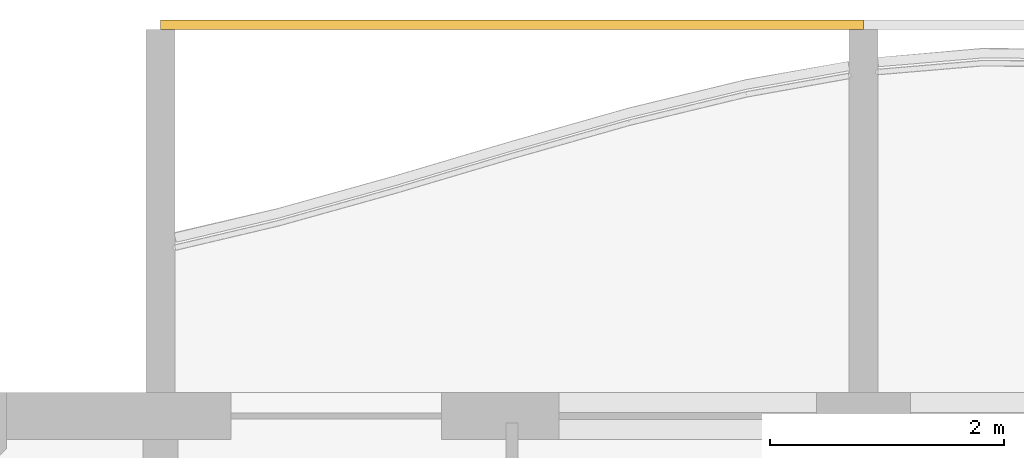
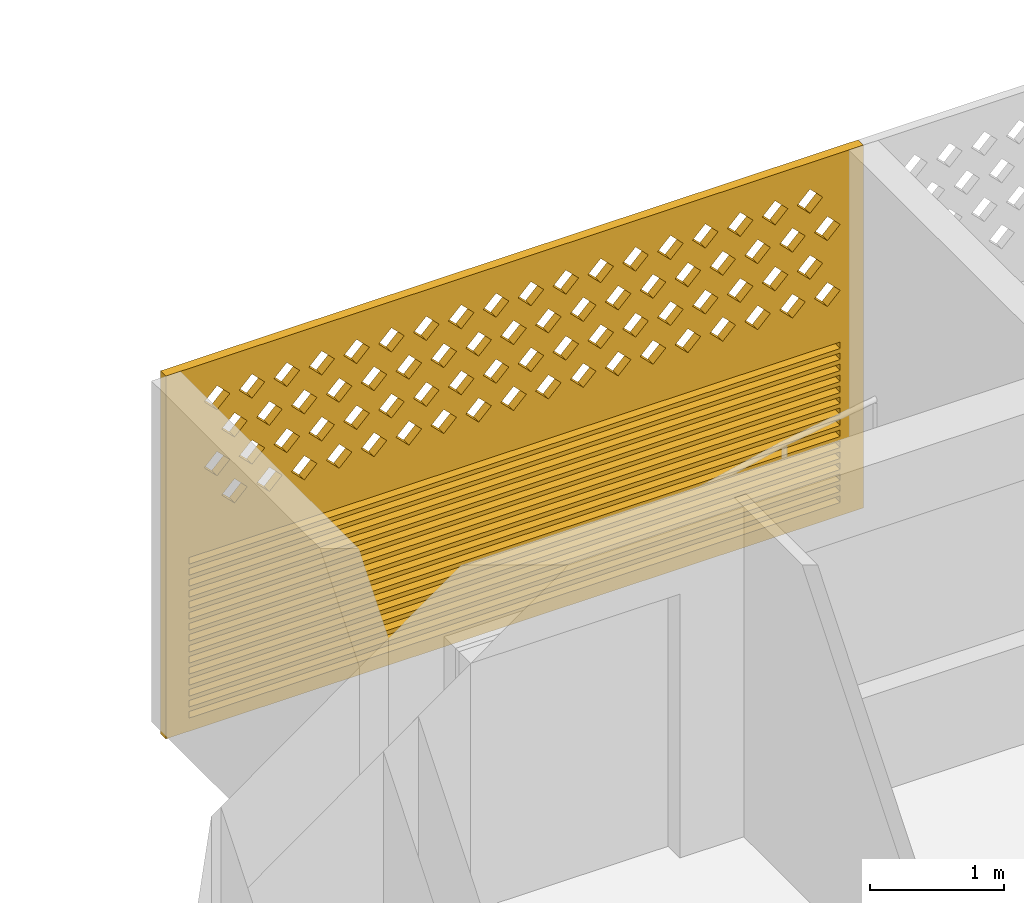
# One storey, part 18 of 32: 1 covering.
"""IFC4 building model written with IfcOpenShell, lengths in metres."""

from ifc_helpers import new_model, si_unit, direction, frame, origin, place, context, subcontext, project, spatial, polyline, outline, extrude, source, transform, mapped, material, material_profile, profile_set, type_object, element, save


model = new_model("IFC4")

# Units and contexts
model_context = context("Model", 3, precision=1e-05, world=origin(), true_north=direction((0.0, 1.0)))
body_context = subcontext(model_context, "Body", "Model", "MODEL_VIEW")
ifc_project = project(units=[si_unit("LENGTHUNIT", "METRE"), si_unit("AREAUNIT", "SQUARE_METRE"), si_unit("VOLUMEUNIT", "CUBIC_METRE"), si_unit("PLANEANGLEUNIT", "RADIAN"), si_unit("MASSUNIT", "GRAM", prefix="KILO")], contexts=[model_context])

# Site, building, storey
site_placement = place(None, origin())
site = spatial("IfcSite", under=ifc_project, at=site_placement, CompositionType="ELEMENT")
building_placement = place(site_placement, origin())
building = spatial("IfcBuilding", under=site, at=building_placement, Name="Poui Terraces", CompositionType="ELEMENT")
storey_placement = place(building_placement, frame((0.0, 0.0, 155.39990234375)))
storey = spatial("IfcBuildingStorey", under=building, at=storey_placement, Name="L43", CompositionType="ELEMENT", Elevation=155.39990234375)

# Covering
ifc_material = material(Name="Terracotta screen", Category="masonry")
ifc_material_profile = material_profile(ifc_material, outline(polyline([(-3.0, -1.64990234375), (3.0, -1.64990234375), (3.0, 1.64990234375), (-3.0, 1.64990234375), (-3.0, -1.64990234375)]), holes=[polyline([(-2.800048828125, 0.39990234375), (-2.68994140625, 0.2900390625), (-2.580078125, 0.39990234375), (-2.68994140625, 0.510009765625), (-2.800048828125, 0.39990234375)]), polyline([(-2.5, 0.39990234375), (-2.389892578125, 0.2900390625), (-2.280029296875, 0.39990234375), (-2.389892578125, 0.510009765625), (-2.5, 0.39990234375)]), polyline([(-2.199951171875, 0.39990234375), (-2.090087890625, 0.2900390625), (-1.97998046875, 0.39990234375), (-2.090087890625, 0.510009765625), (-2.199951171875, 0.39990234375)]), polyline([(-1.89990234375, 0.39990234375), (-1.7900390625, 0.2900390625), (-1.679931640625, 0.39990234375), (-1.7900390625, 0.510009765625), (-1.89990234375, 0.39990234375)]), polyline([(-1.60009765625, 0.39990234375), (-1.489990234375, 0.2900390625), (-1.3798828125, 0.39990234375), (-1.489990234375, 0.510009765625), (-1.60009765625, 0.39990234375)]), polyline([(-1.300048828125, 0.39990234375), (-1.18994140625, 0.2900390625), (-1.080078125, 0.39990234375), (-1.18994140625, 0.510009765625), (-1.300048828125, 0.39990234375)]), polyline([(-1.0, 0.39990234375), (-0.889892578125, 0.2900390625), (-0.780029296875, 0.39990234375), (-0.889892578125, 0.510009765625), (-1.0, 0.39990234375)]), polyline([(-0.699951171875, 0.39990234375), (-0.590087890625, 0.2900390625), (-0.47998046875, 0.39990234375), (-0.590087890625, 0.510009765625), (-0.699951171875, 0.39990234375)]), polyline([(-0.39990234375, 0.39990234375), (-0.2900390625, 0.2900390625), (-0.179931640625, 0.39990234375), (-0.2900390625, 0.510009765625), (-0.39990234375, 0.39990234375)]), polyline([(-0.10009765625, 0.39990234375), (0.010009765625, 0.2900390625), (0.1201171875, 0.39990234375), (0.010009765625, 0.510009765625), (-0.10009765625, 0.39990234375)]), polyline([(0.199951171875, 0.39990234375), (0.31005859375, 0.2900390625), (0.419921875, 0.39990234375), (0.31005859375, 0.510009765625), (0.199951171875, 0.39990234375)]), polyline([(0.5, 0.39990234375), (0.610107421875, 0.2900390625), (0.719970703125, 0.39990234375), (0.610107421875, 0.510009765625), (0.5, 0.39990234375)]), polyline([(0.800048828125, 0.39990234375), (0.909912109375, 0.2900390625), (1.02001953125, 0.39990234375), (0.909912109375, 0.510009765625), (0.800048828125, 0.39990234375)]), polyline([(1.10009765625, 0.39990234375), (1.2099609375, 0.2900390625), (1.320068359375, 0.39990234375), (1.2099609375, 0.510009765625), (1.10009765625, 0.39990234375)]), polyline([(1.39990234375, 0.39990234375), (1.510009765625, 0.2900390625), (1.6201171875, 0.39990234375), (1.510009765625, 0.510009765625), (1.39990234375, 0.39990234375)]), polyline([(1.699951171875, 0.39990234375), (1.81005859375, 0.2900390625), (1.919921875, 0.39990234375), (1.81005859375, 0.510009765625), (1.699951171875, 0.39990234375)]), polyline([(2.0, 0.39990234375), (2.110107421875, 0.2900390625), (2.219970703125, 0.39990234375), (2.110107421875, 0.510009765625), (2.0, 0.39990234375)]), polyline([(2.300048828125, 0.39990234375), (2.409912109375, 0.2900390625), (2.52001953125, 0.39990234375), (2.409912109375, 0.510009765625), (2.300048828125, 0.39990234375)]), polyline([(-2.64990234375, 0.699951171875), (-2.5400390625, 0.590087890625), (-2.429931640625, 0.699951171875), (-2.5400390625, 0.81005859375), (-2.64990234375, 0.699951171875)]), polyline([(-2.35009765625, 0.699951171875), (-2.239990234375, 0.590087890625), (-2.1298828125, 0.699951171875), (-2.239990234375, 0.81005859375), (-2.35009765625, 0.699951171875)]), polyline([(-2.050048828125, 0.699951171875), (-1.93994140625, 0.590087890625), (-1.830078125, 0.699951171875), (-1.93994140625, 0.81005859375), (-2.050048828125, 0.699951171875)]), polyline([(-1.75, 0.699951171875), (-1.639892578125, 0.590087890625), (-1.530029296875, 0.699951171875), (-1.639892578125, 0.81005859375), (-1.75, 0.699951171875)]), polyline([(-1.449951171875, 0.699951171875), (-1.340087890625, 0.590087890625), (-1.22998046875, 0.699951171875), (-1.340087890625, 0.81005859375), (-1.449951171875, 0.699951171875)]), polyline([(-1.14990234375, 0.699951171875), (-1.0400390625, 0.590087890625), (-0.929931640625, 0.699951171875), (-1.0400390625, 0.81005859375), (-1.14990234375, 0.699951171875)]), polyline([(-0.85009765625, 0.699951171875), (-0.739990234375, 0.590087890625), (-0.6298828125, 0.699951171875), (-0.739990234375, 0.81005859375), (-0.85009765625, 0.699951171875)]), polyline([(-0.550048828125, 0.699951171875), (-0.43994140625, 0.590087890625), (-0.330078125, 0.699951171875), (-0.43994140625, 0.81005859375), (-0.550048828125, 0.699951171875)]), polyline([(-0.25, 0.699951171875), (-0.139892578125, 0.590087890625), (-0.030029296875, 0.699951171875), (-0.139892578125, 0.81005859375), (-0.25, 0.699951171875)]), polyline([(0.050048828125, 0.699951171875), (0.159912109375, 0.590087890625), (0.27001953125, 0.699951171875), (0.159912109375, 0.81005859375), (0.050048828125, 0.699951171875)]), polyline([(0.35009765625, 0.699951171875), (0.4599609375, 0.590087890625), (0.570068359375, 0.699951171875), (0.4599609375, 0.81005859375), (0.35009765625, 0.699951171875)]), polyline([(0.64990234375, 0.699951171875), (0.760009765625, 0.590087890625), (0.8701171875, 0.699951171875), (0.760009765625, 0.81005859375), (0.64990234375, 0.699951171875)]), polyline([(0.949951171875, 0.699951171875), (1.06005859375, 0.590087890625), (1.169921875, 0.699951171875), (1.06005859375, 0.81005859375), (0.949951171875, 0.699951171875)]), polyline([(1.25, 0.699951171875), (1.360107421875, 0.590087890625), (1.469970703125, 0.699951171875), (1.360107421875, 0.81005859375), (1.25, 0.699951171875)]), polyline([(1.550048828125, 0.699951171875), (1.659912109375, 0.590087890625), (1.77001953125, 0.699951171875), (1.659912109375, 0.81005859375), (1.550048828125, 0.699951171875)]), polyline([(1.85009765625, 0.699951171875), (1.9599609375, 0.590087890625), (2.070068359375, 0.699951171875), (1.9599609375, 0.81005859375), (1.85009765625, 0.699951171875)]), polyline([(2.14990234375, 0.699951171875), (2.260009765625, 0.590087890625), (2.3701171875, 0.699951171875), (2.260009765625, 0.81005859375), (2.14990234375, 0.699951171875)]), polyline([(2.449951171875, 0.699951171875), (2.56005859375, 0.590087890625), (2.669921875, 0.699951171875), (2.56005859375, 0.81005859375), (2.449951171875, 0.699951171875)]), polyline([(-2.800048828125, 1.0), (-2.68994140625, 0.889892578125), (-2.580078125, 1.0), (-2.68994140625, 1.110107421875), (-2.800048828125, 1.0)]), polyline([(-2.5, 1.0), (-2.389892578125, 0.889892578125), (-2.280029296875, 1.0), (-2.389892578125, 1.110107421875), (-2.5, 1.0)]), polyline([(-2.199951171875, 1.0), (-2.090087890625, 0.889892578125), (-1.97998046875, 1.0), (-2.090087890625, 1.110107421875), (-2.199951171875, 1.0)]), polyline([(-1.89990234375, 1.0), (-1.7900390625, 0.889892578125), (-1.679931640625, 1.0), (-1.7900390625, 1.110107421875), (-1.89990234375, 1.0)]), polyline([(-1.60009765625, 1.0), (-1.489990234375, 0.889892578125), (-1.3798828125, 1.0), (-1.489990234375, 1.110107421875), (-1.60009765625, 1.0)]), polyline([(-1.300048828125, 1.0), (-1.18994140625, 0.889892578125), (-1.080078125, 1.0), (-1.18994140625, 1.110107421875), (-1.300048828125, 1.0)]), polyline([(-1.0, 1.0), (-0.889892578125, 0.889892578125), (-0.780029296875, 1.0), (-0.889892578125, 1.110107421875), (-1.0, 1.0)]), polyline([(-0.699951171875, 1.0), (-0.590087890625, 0.889892578125), (-0.47998046875, 1.0), (-0.590087890625, 1.110107421875), (-0.699951171875, 1.0)]), polyline([(-0.39990234375, 1.0), (-0.2900390625, 0.889892578125), (-0.179931640625, 1.0), (-0.2900390625, 1.110107421875), (-0.39990234375, 1.0)]), polyline([(-0.10009765625, 1.0), (0.010009765625, 0.889892578125), (0.1201171875, 1.0), (0.010009765625, 1.110107421875), (-0.10009765625, 1.0)]), polyline([(0.199951171875, 1.0), (0.31005859375, 0.889892578125), (0.419921875, 1.0), (0.31005859375, 1.110107421875), (0.199951171875, 1.0)]), polyline([(0.5, 1.0), (0.610107421875, 0.889892578125), (0.719970703125, 1.0), (0.610107421875, 1.110107421875), (0.5, 1.0)]), polyline([(0.800048828125, 1.0), (0.909912109375, 0.889892578125), (1.02001953125, 1.0), (0.909912109375, 1.110107421875), (0.800048828125, 1.0)]), polyline([(1.10009765625, 1.0), (1.2099609375, 0.889892578125), (1.320068359375, 1.0), (1.2099609375, 1.110107421875), (1.10009765625, 1.0)]), polyline([(1.39990234375, 1.0), (1.510009765625, 0.889892578125), (1.6201171875, 1.0), (1.510009765625, 1.110107421875), (1.39990234375, 1.0)]), polyline([(1.699951171875, 1.0), (1.81005859375, 0.889892578125), (1.919921875, 1.0), (1.81005859375, 1.110107421875), (1.699951171875, 1.0)]), polyline([(2.0, 1.0), (2.110107421875, 0.889892578125), (2.219970703125, 1.0), (2.110107421875, 1.110107421875), (2.0, 1.0)]), polyline([(2.300048828125, 1.0), (2.409912109375, 0.889892578125), (2.52001953125, 1.0), (2.409912109375, 1.110107421875), (2.300048828125, 1.0)]), polyline([(-2.64990234375, 1.300048828125), (-2.5400390625, 1.18994140625), (-2.429931640625, 1.300048828125), (-2.5400390625, 1.409912109375), (-2.64990234375, 1.300048828125)]), polyline([(-2.35009765625, 1.300048828125), (-2.239990234375, 1.18994140625), (-2.1298828125, 1.300048828125), (-2.239990234375, 1.409912109375), (-2.35009765625, 1.300048828125)]), polyline([(-2.050048828125, 1.300048828125), (-1.93994140625, 1.18994140625), (-1.830078125, 1.300048828125), (-1.93994140625, 1.409912109375), (-2.050048828125, 1.300048828125)]), polyline([(-1.75, 1.300048828125), (-1.639892578125, 1.18994140625), (-1.530029296875, 1.300048828125), (-1.639892578125, 1.409912109375), (-1.75, 1.300048828125)]), polyline([(-1.449951171875, 1.300048828125), (-1.340087890625, 1.18994140625), (-1.22998046875, 1.300048828125), (-1.340087890625, 1.409912109375), (-1.449951171875, 1.300048828125)]), polyline([(-1.14990234375, 1.300048828125), (-1.0400390625, 1.18994140625), (-0.929931640625, 1.300048828125), (-1.0400390625, 1.409912109375), (-1.14990234375, 1.300048828125)]), polyline([(-0.85009765625, 1.300048828125), (-0.739990234375, 1.18994140625), (-0.6298828125, 1.300048828125), (-0.739990234375, 1.409912109375), (-0.85009765625, 1.300048828125)]), polyline([(-0.550048828125, 1.300048828125), (-0.43994140625, 1.18994140625), (-0.330078125, 1.300048828125), (-0.43994140625, 1.409912109375), (-0.550048828125, 1.300048828125)]), polyline([(-0.25, 1.300048828125), (-0.139892578125, 1.18994140625), (-0.030029296875, 1.300048828125), (-0.139892578125, 1.409912109375), (-0.25, 1.300048828125)]), polyline([(0.050048828125, 1.300048828125), (0.159912109375, 1.18994140625), (0.27001953125, 1.300048828125), (0.159912109375, 1.409912109375), (0.050048828125, 1.300048828125)]), polyline([(0.35009765625, 1.300048828125), (0.4599609375, 1.18994140625), (0.570068359375, 1.300048828125), (0.4599609375, 1.409912109375), (0.35009765625, 1.300048828125)]), polyline([(0.64990234375, 1.300048828125), (0.760009765625, 1.18994140625), (0.8701171875, 1.300048828125), (0.760009765625, 1.409912109375), (0.64990234375, 1.300048828125)]), polyline([(0.949951171875, 1.300048828125), (1.06005859375, 1.18994140625), (1.169921875, 1.300048828125), (1.06005859375, 1.409912109375), (0.949951171875, 1.300048828125)]), polyline([(1.25, 1.300048828125), (1.360107421875, 1.18994140625), (1.469970703125, 1.300048828125), (1.360107421875, 1.409912109375), (1.25, 1.300048828125)]), polyline([(1.550048828125, 1.300048828125), (1.659912109375, 1.18994140625), (1.77001953125, 1.300048828125), (1.659912109375, 1.409912109375), (1.550048828125, 1.300048828125)]), polyline([(1.85009765625, 1.300048828125), (1.9599609375, 1.18994140625), (2.070068359375, 1.300048828125), (1.9599609375, 1.409912109375), (1.85009765625, 1.300048828125)]), polyline([(2.14990234375, 1.300048828125), (2.260009765625, 1.18994140625), (2.3701171875, 1.300048828125), (2.260009765625, 1.409912109375), (2.14990234375, 1.300048828125)]), polyline([(2.449951171875, 1.300048828125), (2.56005859375, 1.18994140625), (2.669921875, 1.300048828125), (2.56005859375, 1.409912109375), (2.449951171875, 1.300048828125)]), polyline([(-2.800048828125, -1.530029296875), (2.800048828125, -1.530029296875), (2.800048828125, -1.469970703125), (-2.800048828125, -1.469970703125), (-2.800048828125, -1.530029296875)]), polyline([(-2.800048828125, -1.429931640625), (2.800048828125, -1.429931640625), (2.800048828125, -1.3701171875), (-2.800048828125, -1.3701171875), (-2.800048828125, -1.429931640625)]), polyline([(-2.800048828125, -1.330078125), (2.800048828125, -1.330078125), (2.800048828125, -1.27001953125), (-2.800048828125, -1.27001953125), (-2.800048828125, -1.330078125)]), polyline([(-2.800048828125, -1.22998046875), (2.800048828125, -1.22998046875), (2.800048828125, -1.169921875), (-2.800048828125, -1.169921875), (-2.800048828125, -1.22998046875)]), polyline([(-2.800048828125, -1.1298828125), (2.800048828125, -1.1298828125), (2.800048828125, -1.070068359375), (-2.800048828125, -1.070068359375), (-2.800048828125, -1.1298828125)]), polyline([(-2.800048828125, -1.030029296875), (2.800048828125, -1.030029296875), (2.800048828125, -0.969970703125), (-2.800048828125, -0.969970703125), (-2.800048828125, -1.030029296875)]), polyline([(-2.800048828125, -0.929931640625), (2.800048828125, -0.929931640625), (2.800048828125, -0.8701171875), (-2.800048828125, -0.8701171875), (-2.800048828125, -0.929931640625)]), polyline([(-2.800048828125, -0.830078125), (2.800048828125, -0.830078125), (2.800048828125, -0.77001953125), (-2.800048828125, -0.77001953125), (-2.800048828125, -0.830078125)]), polyline([(-2.800048828125, -0.72998046875), (2.800048828125, -0.72998046875), (2.800048828125, -0.669921875), (-2.800048828125, -0.669921875), (-2.800048828125, -0.72998046875)]), polyline([(-2.800048828125, -0.6298828125), (2.800048828125, -0.6298828125), (2.800048828125, -0.570068359375), (-2.800048828125, -0.570068359375), (-2.800048828125, -0.6298828125)]), polyline([(-2.800048828125, -0.530029296875), (2.800048828125, -0.530029296875), (2.800048828125, -0.469970703125), (-2.800048828125, -0.469970703125), (-2.800048828125, -0.530029296875)]), polyline([(-2.800048828125, -0.429931640625), (2.800048828125, -0.429931640625), (2.800048828125, -0.3701171875), (-2.800048828125, -0.3701171875), (-2.800048828125, -0.429931640625)]), polyline([(-2.800048828125, -0.330078125), (2.800048828125, -0.330078125), (2.800048828125, -0.27001953125), (-2.800048828125, -0.27001953125), (-2.800048828125, -0.330078125)]), polyline([(-2.800048828125, -0.22998046875), (2.800048828125, -0.22998046875), (2.800048828125, -0.169921875), (-2.800048828125, -0.169921875), (-2.800048828125, -0.22998046875)]), polyline([(-2.800048828125, -0.1298828125), (2.800048828125, -0.1298828125), (2.800048828125, -0.070068359375), (-2.800048828125, -0.070068359375), (-2.800048828125, -0.1298828125)])]), Name="TERRACOTTA SCREEN AND JALOUSIE LOUVRE 6000X3300")
ifc_profile_set = profile_set([ifc_material_profile], Name="Terracotta screen")
covering_type = type_object("IfcCoveringType", Name="TERRACOTTA SCREEN AND JALOUSIE LOUVRE 6000X3300", PredefinedType="CLADDING", material=ifc_profile_set)
shared_shape = source(origin(), body_context, "Body", "SweptSolid", [
    extrude(outline(polyline([(-3.0, -1.64990234375), (3.0, -1.64990234375), (3.0, 1.64990234375), (-3.0, 1.64990234375), (-3.0, -1.64990234375)]), holes=[polyline([(-2.800048828125, 0.39990234375), (-2.68994140625, 0.2900390625), (-2.580078125, 0.39990234375), (-2.68994140625, 0.510009765625), (-2.800048828125, 0.39990234375)]), polyline([(-2.5, 0.39990234375), (-2.389892578125, 0.2900390625), (-2.280029296875, 0.39990234375), (-2.389892578125, 0.510009765625), (-2.5, 0.39990234375)]), polyline([(-2.199951171875, 0.39990234375), (-2.090087890625, 0.2900390625), (-1.97998046875, 0.39990234375), (-2.090087890625, 0.510009765625), (-2.199951171875, 0.39990234375)]), polyline([(-1.89990234375, 0.39990234375), (-1.7900390625, 0.2900390625), (-1.679931640625, 0.39990234375), (-1.7900390625, 0.510009765625), (-1.89990234375, 0.39990234375)]), polyline([(-1.60009765625, 0.39990234375), (-1.489990234375, 0.2900390625), (-1.3798828125, 0.39990234375), (-1.489990234375, 0.510009765625), (-1.60009765625, 0.39990234375)]), polyline([(-1.300048828125, 0.39990234375), (-1.18994140625, 0.2900390625), (-1.080078125, 0.39990234375), (-1.18994140625, 0.510009765625), (-1.300048828125, 0.39990234375)]), polyline([(-1.0, 0.39990234375), (-0.889892578125, 0.2900390625), (-0.780029296875, 0.39990234375), (-0.889892578125, 0.510009765625), (-1.0, 0.39990234375)]), polyline([(-0.699951171875, 0.39990234375), (-0.590087890625, 0.2900390625), (-0.47998046875, 0.39990234375), (-0.590087890625, 0.510009765625), (-0.699951171875, 0.39990234375)]), polyline([(-0.39990234375, 0.39990234375), (-0.2900390625, 0.2900390625), (-0.179931640625, 0.39990234375), (-0.2900390625, 0.510009765625), (-0.39990234375, 0.39990234375)]), polyline([(-0.10009765625, 0.39990234375), (0.010009765625, 0.2900390625), (0.1201171875, 0.39990234375), (0.010009765625, 0.510009765625), (-0.10009765625, 0.39990234375)]), polyline([(0.199951171875, 0.39990234375), (0.31005859375, 0.2900390625), (0.419921875, 0.39990234375), (0.31005859375, 0.510009765625), (0.199951171875, 0.39990234375)]), polyline([(0.5, 0.39990234375), (0.610107421875, 0.2900390625), (0.719970703125, 0.39990234375), (0.610107421875, 0.510009765625), (0.5, 0.39990234375)]), polyline([(0.800048828125, 0.39990234375), (0.909912109375, 0.2900390625), (1.02001953125, 0.39990234375), (0.909912109375, 0.510009765625), (0.800048828125, 0.39990234375)]), polyline([(1.10009765625, 0.39990234375), (1.2099609375, 0.2900390625), (1.320068359375, 0.39990234375), (1.2099609375, 0.510009765625), (1.10009765625, 0.39990234375)]), polyline([(1.39990234375, 0.39990234375), (1.510009765625, 0.2900390625), (1.6201171875, 0.39990234375), (1.510009765625, 0.510009765625), (1.39990234375, 0.39990234375)]), polyline([(1.699951171875, 0.39990234375), (1.81005859375, 0.2900390625), (1.919921875, 0.39990234375), (1.81005859375, 0.510009765625), (1.699951171875, 0.39990234375)]), polyline([(2.0, 0.39990234375), (2.110107421875, 0.2900390625), (2.219970703125, 0.39990234375), (2.110107421875, 0.510009765625), (2.0, 0.39990234375)]), polyline([(2.300048828125, 0.39990234375), (2.409912109375, 0.2900390625), (2.52001953125, 0.39990234375), (2.409912109375, 0.510009765625), (2.300048828125, 0.39990234375)]), polyline([(-2.64990234375, 0.699951171875), (-2.5400390625, 0.590087890625), (-2.429931640625, 0.699951171875), (-2.5400390625, 0.81005859375), (-2.64990234375, 0.699951171875)]), polyline([(-2.35009765625, 0.699951171875), (-2.239990234375, 0.590087890625), (-2.1298828125, 0.699951171875), (-2.239990234375, 0.81005859375), (-2.35009765625, 0.699951171875)]), polyline([(-2.050048828125, 0.699951171875), (-1.93994140625, 0.590087890625), (-1.830078125, 0.699951171875), (-1.93994140625, 0.81005859375), (-2.050048828125, 0.699951171875)]), polyline([(-1.75, 0.699951171875), (-1.639892578125, 0.590087890625), (-1.530029296875, 0.699951171875), (-1.639892578125, 0.81005859375), (-1.75, 0.699951171875)]), polyline([(-1.449951171875, 0.699951171875), (-1.340087890625, 0.590087890625), (-1.22998046875, 0.699951171875), (-1.340087890625, 0.81005859375), (-1.449951171875, 0.699951171875)]), polyline([(-1.14990234375, 0.699951171875), (-1.0400390625, 0.590087890625), (-0.929931640625, 0.699951171875), (-1.0400390625, 0.81005859375), (-1.14990234375, 0.699951171875)]), polyline([(-0.85009765625, 0.699951171875), (-0.739990234375, 0.590087890625), (-0.6298828125, 0.699951171875), (-0.739990234375, 0.81005859375), (-0.85009765625, 0.699951171875)]), polyline([(-0.550048828125, 0.699951171875), (-0.43994140625, 0.590087890625), (-0.330078125, 0.699951171875), (-0.43994140625, 0.81005859375), (-0.550048828125, 0.699951171875)]), polyline([(-0.25, 0.699951171875), (-0.139892578125, 0.590087890625), (-0.030029296875, 0.699951171875), (-0.139892578125, 0.81005859375), (-0.25, 0.699951171875)]), polyline([(0.050048828125, 0.699951171875), (0.159912109375, 0.590087890625), (0.27001953125, 0.699951171875), (0.159912109375, 0.81005859375), (0.050048828125, 0.699951171875)]), polyline([(0.35009765625, 0.699951171875), (0.4599609375, 0.590087890625), (0.570068359375, 0.699951171875), (0.4599609375, 0.81005859375), (0.35009765625, 0.699951171875)]), polyline([(0.64990234375, 0.699951171875), (0.760009765625, 0.590087890625), (0.8701171875, 0.699951171875), (0.760009765625, 0.81005859375), (0.64990234375, 0.699951171875)]), polyline([(0.949951171875, 0.699951171875), (1.06005859375, 0.590087890625), (1.169921875, 0.699951171875), (1.06005859375, 0.81005859375), (0.949951171875, 0.699951171875)]), polyline([(1.25, 0.699951171875), (1.360107421875, 0.590087890625), (1.469970703125, 0.699951171875), (1.360107421875, 0.81005859375), (1.25, 0.699951171875)]), polyline([(1.550048828125, 0.699951171875), (1.659912109375, 0.590087890625), (1.77001953125, 0.699951171875), (1.659912109375, 0.81005859375), (1.550048828125, 0.699951171875)]), polyline([(1.85009765625, 0.699951171875), (1.9599609375, 0.590087890625), (2.070068359375, 0.699951171875), (1.9599609375, 0.81005859375), (1.85009765625, 0.699951171875)]), polyline([(2.14990234375, 0.699951171875), (2.260009765625, 0.590087890625), (2.3701171875, 0.699951171875), (2.260009765625, 0.81005859375), (2.14990234375, 0.699951171875)]), polyline([(2.449951171875, 0.699951171875), (2.56005859375, 0.590087890625), (2.669921875, 0.699951171875), (2.56005859375, 0.81005859375), (2.449951171875, 0.699951171875)]), polyline([(-2.800048828125, 1.0), (-2.68994140625, 0.889892578125), (-2.580078125, 1.0), (-2.68994140625, 1.110107421875), (-2.800048828125, 1.0)]), polyline([(-2.5, 1.0), (-2.389892578125, 0.889892578125), (-2.280029296875, 1.0), (-2.389892578125, 1.110107421875), (-2.5, 1.0)]), polyline([(-2.199951171875, 1.0), (-2.090087890625, 0.889892578125), (-1.97998046875, 1.0), (-2.090087890625, 1.110107421875), (-2.199951171875, 1.0)]), polyline([(-1.89990234375, 1.0), (-1.7900390625, 0.889892578125), (-1.679931640625, 1.0), (-1.7900390625, 1.110107421875), (-1.89990234375, 1.0)]), polyline([(-1.60009765625, 1.0), (-1.489990234375, 0.889892578125), (-1.3798828125, 1.0), (-1.489990234375, 1.110107421875), (-1.60009765625, 1.0)]), polyline([(-1.300048828125, 1.0), (-1.18994140625, 0.889892578125), (-1.080078125, 1.0), (-1.18994140625, 1.110107421875), (-1.300048828125, 1.0)]), polyline([(-1.0, 1.0), (-0.889892578125, 0.889892578125), (-0.780029296875, 1.0), (-0.889892578125, 1.110107421875), (-1.0, 1.0)]), polyline([(-0.699951171875, 1.0), (-0.590087890625, 0.889892578125), (-0.47998046875, 1.0), (-0.590087890625, 1.110107421875), (-0.699951171875, 1.0)]), polyline([(-0.39990234375, 1.0), (-0.2900390625, 0.889892578125), (-0.179931640625, 1.0), (-0.2900390625, 1.110107421875), (-0.39990234375, 1.0)]), polyline([(-0.10009765625, 1.0), (0.010009765625, 0.889892578125), (0.1201171875, 1.0), (0.010009765625, 1.110107421875), (-0.10009765625, 1.0)]), polyline([(0.199951171875, 1.0), (0.31005859375, 0.889892578125), (0.419921875, 1.0), (0.31005859375, 1.110107421875), (0.199951171875, 1.0)]), polyline([(0.5, 1.0), (0.610107421875, 0.889892578125), (0.719970703125, 1.0), (0.610107421875, 1.110107421875), (0.5, 1.0)]), polyline([(0.800048828125, 1.0), (0.909912109375, 0.889892578125), (1.02001953125, 1.0), (0.909912109375, 1.110107421875), (0.800048828125, 1.0)]), polyline([(1.10009765625, 1.0), (1.2099609375, 0.889892578125), (1.320068359375, 1.0), (1.2099609375, 1.110107421875), (1.10009765625, 1.0)]), polyline([(1.39990234375, 1.0), (1.510009765625, 0.889892578125), (1.6201171875, 1.0), (1.510009765625, 1.110107421875), (1.39990234375, 1.0)]), polyline([(1.699951171875, 1.0), (1.81005859375, 0.889892578125), (1.919921875, 1.0), (1.81005859375, 1.110107421875), (1.699951171875, 1.0)]), polyline([(2.0, 1.0), (2.110107421875, 0.889892578125), (2.219970703125, 1.0), (2.110107421875, 1.110107421875), (2.0, 1.0)]), polyline([(2.300048828125, 1.0), (2.409912109375, 0.889892578125), (2.52001953125, 1.0), (2.409912109375, 1.110107421875), (2.300048828125, 1.0)]), polyline([(-2.64990234375, 1.300048828125), (-2.5400390625, 1.18994140625), (-2.429931640625, 1.300048828125), (-2.5400390625, 1.409912109375), (-2.64990234375, 1.300048828125)]), polyline([(-2.35009765625, 1.300048828125), (-2.239990234375, 1.18994140625), (-2.1298828125, 1.300048828125), (-2.239990234375, 1.409912109375), (-2.35009765625, 1.300048828125)]), polyline([(-2.050048828125, 1.300048828125), (-1.93994140625, 1.18994140625), (-1.830078125, 1.300048828125), (-1.93994140625, 1.409912109375), (-2.050048828125, 1.300048828125)]), polyline([(-1.75, 1.300048828125), (-1.639892578125, 1.18994140625), (-1.530029296875, 1.300048828125), (-1.639892578125, 1.409912109375), (-1.75, 1.300048828125)]), polyline([(-1.449951171875, 1.300048828125), (-1.340087890625, 1.18994140625), (-1.22998046875, 1.300048828125), (-1.340087890625, 1.409912109375), (-1.449951171875, 1.300048828125)]), polyline([(-1.14990234375, 1.300048828125), (-1.0400390625, 1.18994140625), (-0.929931640625, 1.300048828125), (-1.0400390625, 1.409912109375), (-1.14990234375, 1.300048828125)]), polyline([(-0.85009765625, 1.300048828125), (-0.739990234375, 1.18994140625), (-0.6298828125, 1.300048828125), (-0.739990234375, 1.409912109375), (-0.85009765625, 1.300048828125)]), polyline([(-0.550048828125, 1.300048828125), (-0.43994140625, 1.18994140625), (-0.330078125, 1.300048828125), (-0.43994140625, 1.409912109375), (-0.550048828125, 1.300048828125)]), polyline([(-0.25, 1.300048828125), (-0.139892578125, 1.18994140625), (-0.030029296875, 1.300048828125), (-0.139892578125, 1.409912109375), (-0.25, 1.300048828125)]), polyline([(0.050048828125, 1.300048828125), (0.159912109375, 1.18994140625), (0.27001953125, 1.300048828125), (0.159912109375, 1.409912109375), (0.050048828125, 1.300048828125)]), polyline([(0.35009765625, 1.300048828125), (0.4599609375, 1.18994140625), (0.570068359375, 1.300048828125), (0.4599609375, 1.409912109375), (0.35009765625, 1.300048828125)]), polyline([(0.64990234375, 1.300048828125), (0.760009765625, 1.18994140625), (0.8701171875, 1.300048828125), (0.760009765625, 1.409912109375), (0.64990234375, 1.300048828125)]), polyline([(0.949951171875, 1.300048828125), (1.06005859375, 1.18994140625), (1.169921875, 1.300048828125), (1.06005859375, 1.409912109375), (0.949951171875, 1.300048828125)]), polyline([(1.25, 1.300048828125), (1.360107421875, 1.18994140625), (1.469970703125, 1.300048828125), (1.360107421875, 1.409912109375), (1.25, 1.300048828125)]), polyline([(1.550048828125, 1.300048828125), (1.659912109375, 1.18994140625), (1.77001953125, 1.300048828125), (1.659912109375, 1.409912109375), (1.550048828125, 1.300048828125)]), polyline([(1.85009765625, 1.300048828125), (1.9599609375, 1.18994140625), (2.070068359375, 1.300048828125), (1.9599609375, 1.409912109375), (1.85009765625, 1.300048828125)]), polyline([(2.14990234375, 1.300048828125), (2.260009765625, 1.18994140625), (2.3701171875, 1.300048828125), (2.260009765625, 1.409912109375), (2.14990234375, 1.300048828125)]), polyline([(2.449951171875, 1.300048828125), (2.56005859375, 1.18994140625), (2.669921875, 1.300048828125), (2.56005859375, 1.409912109375), (2.449951171875, 1.300048828125)]), polyline([(-2.800048828125, -1.530029296875), (2.800048828125, -1.530029296875), (2.800048828125, -1.469970703125), (-2.800048828125, -1.469970703125), (-2.800048828125, -1.530029296875)]), polyline([(-2.800048828125, -1.429931640625), (2.800048828125, -1.429931640625), (2.800048828125, -1.3701171875), (-2.800048828125, -1.3701171875), (-2.800048828125, -1.429931640625)]), polyline([(-2.800048828125, -1.330078125), (2.800048828125, -1.330078125), (2.800048828125, -1.27001953125), (-2.800048828125, -1.27001953125), (-2.800048828125, -1.330078125)]), polyline([(-2.800048828125, -1.22998046875), (2.800048828125, -1.22998046875), (2.800048828125, -1.169921875), (-2.800048828125, -1.169921875), (-2.800048828125, -1.22998046875)]), polyline([(-2.800048828125, -1.1298828125), (2.800048828125, -1.1298828125), (2.800048828125, -1.070068359375), (-2.800048828125, -1.070068359375), (-2.800048828125, -1.1298828125)]), polyline([(-2.800048828125, -1.030029296875), (2.800048828125, -1.030029296875), (2.800048828125, -0.969970703125), (-2.800048828125, -0.969970703125), (-2.800048828125, -1.030029296875)]), polyline([(-2.800048828125, -0.929931640625), (2.800048828125, -0.929931640625), (2.800048828125, -0.8701171875), (-2.800048828125, -0.8701171875), (-2.800048828125, -0.929931640625)]), polyline([(-2.800048828125, -0.830078125), (2.800048828125, -0.830078125), (2.800048828125, -0.77001953125), (-2.800048828125, -0.77001953125), (-2.800048828125, -0.830078125)]), polyline([(-2.800048828125, -0.72998046875), (2.800048828125, -0.72998046875), (2.800048828125, -0.669921875), (-2.800048828125, -0.669921875), (-2.800048828125, -0.72998046875)]), polyline([(-2.800048828125, -0.6298828125), (2.800048828125, -0.6298828125), (2.800048828125, -0.570068359375), (-2.800048828125, -0.570068359375), (-2.800048828125, -0.6298828125)]), polyline([(-2.800048828125, -0.530029296875), (2.800048828125, -0.530029296875), (2.800048828125, -0.469970703125), (-2.800048828125, -0.469970703125), (-2.800048828125, -0.530029296875)]), polyline([(-2.800048828125, -0.429931640625), (2.800048828125, -0.429931640625), (2.800048828125, -0.3701171875), (-2.800048828125, -0.3701171875), (-2.800048828125, -0.429931640625)]), polyline([(-2.800048828125, -0.330078125), (2.800048828125, -0.330078125), (2.800048828125, -0.27001953125), (-2.800048828125, -0.27001953125), (-2.800048828125, -0.330078125)]), polyline([(-2.800048828125, -0.22998046875), (2.800048828125, -0.22998046875), (2.800048828125, -0.169921875), (-2.800048828125, -0.169921875), (-2.800048828125, -0.22998046875)]), polyline([(-2.800048828125, -0.1298828125), (2.800048828125, -0.1298828125), (2.800048828125, -0.070068359375), (-2.800048828125, -0.070068359375), (-2.800048828125, -0.1298828125)])]), origin(), (0.0, 0.0, 1.0), 0.080078125),
])
covering_placement = place(storey_placement, frame((21.0, 45.699951171875, 1.4501953125), z_axis=(0.0, 1.0, 0.0), x_axis=(-1.0, 0.0, 0.0)))
element("IfcCovering", 1, at=covering_placement, inside=storey, type_object=covering_type, Name="SOLAR SCREEN AND JALOUSIE LOUVRE", PredefinedType="CLADDING", context=body_context, shape_type="MappedRepresentation", body=[
    mapped(shared_shape, transform((0.0, 0.0, 0.0))),
])

save(model, "model.ifc")
